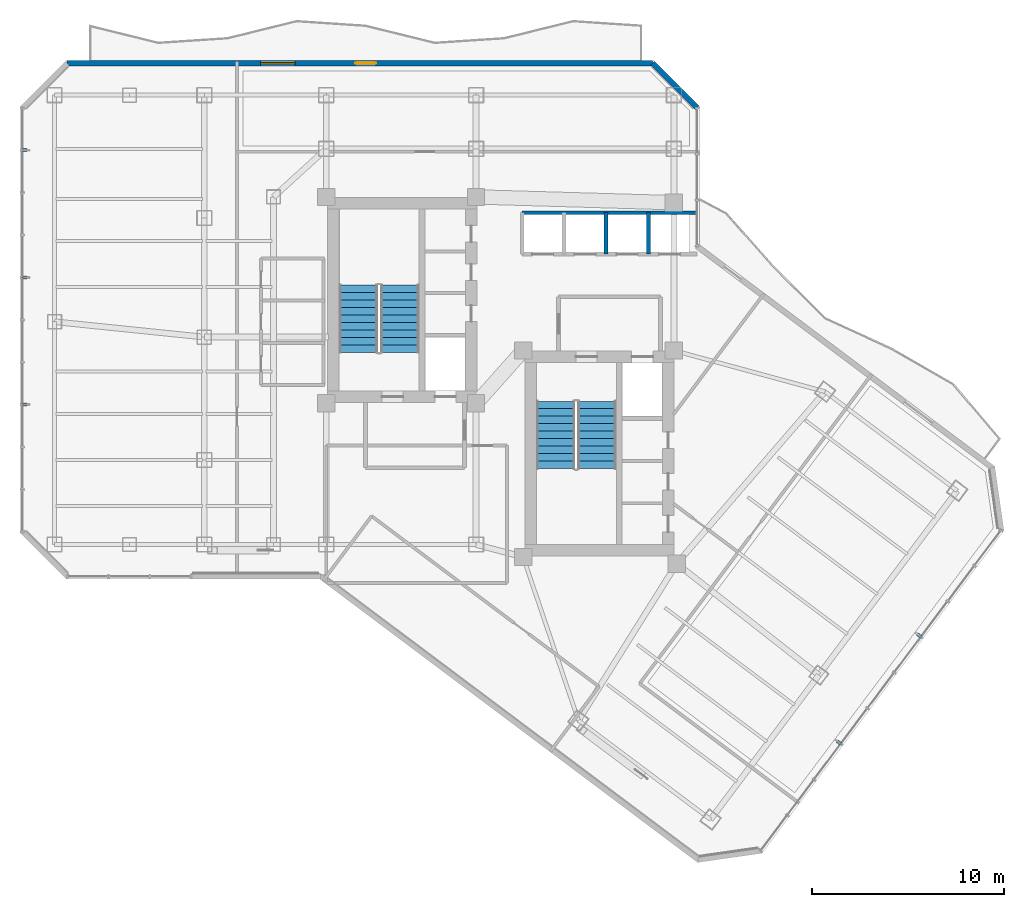
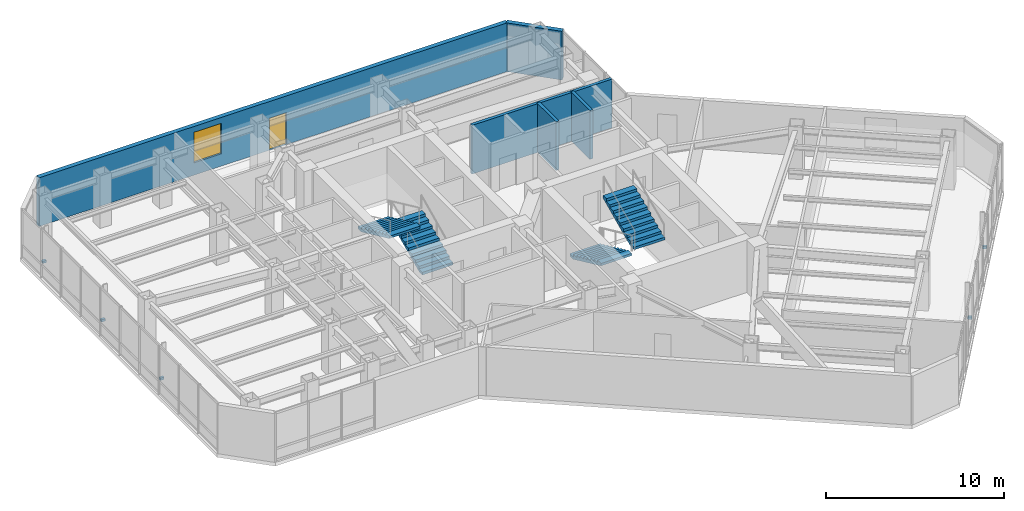
# One storey, part 24 of 28: 5 discrete accessories, 5 walls, 4 stair flights, 1 door, 1 window, 2 openings, 2 elements without a shape of their own.
"""IFC4 building model written with IfcOpenShell, lengths in metres."""

import ifcopenshell
import ifcopenshell.guid

model = None  # the IFC model being written
_history = None  # IfcOwnerHistory: only IFC2X3 demands one
_inside = {}  # id of a spatial element -> (the spatial element, [elements in it])
_under = {}  # id of a project, library or spatial element -> (it, [spatial elements below it])
_declared = {}  # id of a project -> (the project, [libraries it declares])
_typed = {}  # id of a type object -> (the type object, [elements of that type])
_made_of = {}  # id of a material, layer set ... -> (it, [elements and type objects made of it])


def new_model(schema):
    """Start an empty IFC model of exactly this schema.

    Asked for "IFC4X3", IfcOpenShell would pick the latest addendum, in which some entities
    have other attributes; the version numbers below select the first issue.
    IFC2X3 requires an IfcOwnerHistory on every rooted entity: one is made here for all.
    """
    global model, _history
    if schema == "IFC4X3":
        model = ifcopenshell.file(schema_version=(4, 3, 0, 0))
    else:
        model = ifcopenshell.file(schema=schema)
    _inside.clear()
    _under.clear()
    _declared.clear()
    _typed.clear()
    _made_of.clear()
    _history = None
    if model.schema == "IFC2X3":
        org = make("IfcOrganization", Name="unknown")
        user = make(
            "IfcPersonAndOrganization",
            ThePerson=make("IfcPerson", FamilyName="unknown"),
            TheOrganization=org,
        )
        app = make(
            "IfcApplication",
            ApplicationDeveloper=org,
            Version="unknown",
            ApplicationFullName="unknown",
            ApplicationIdentifier="unknown",
        )
        _history = make(
            "IfcOwnerHistory",
            OwningUser=user,
            OwningApplication=app,
            ChangeAction="ADDED",
            CreationDate=0,
        )
    return model


def make(cls, **values):
    """One entity of the class cls with the attributes given. An attribute that is None is left unset."""
    return model.create_entity(
        cls, **{name: value for name, value in values.items() if value is not None}
    )


def rooted(cls, **values):
    """An entity with a GlobalId (a new one), such as an element, a storey or a relation."""
    return make(cls, GlobalId=ifcopenshell.guid.new(), OwnerHistory=_history, **values)


def si_unit(unit_type, name, prefix=None):
    """IfcSIUnit, for example si_unit("LENGTHUNIT", "METRE", prefix="MILLI")."""
    return make("IfcSIUnit", UnitType=unit_type, Prefix=prefix, Name=name)


def assignment(units):
    """IfcUnitAssignment: the units of a project."""
    return None if units is None else make("IfcUnitAssignment", Units=units)


def point(xyz):
    """IfcCartesianPoint."""
    return None if xyz is None else make("IfcCartesianPoint", Coordinates=xyz)


def direction(xyz):
    """IfcDirection."""
    return None if xyz is None else make("IfcDirection", DirectionRatios=xyz)


def frame(location, z_axis=None, x_axis=None):
    """IfcAxis2Placement3D, a coordinate frame: its origin and axes. An axis left out is left unset."""
    return make(
        "IfcAxis2Placement3D",
        Location=point(location),
        Axis=direction(z_axis),
        RefDirection=direction(x_axis),
    )


def frame_2d(location, x_axis=None):
    """IfcAxis2Placement2D, a coordinate frame in the plane: its origin and x axis."""
    return make(
        "IfcAxis2Placement2D", Location=point(location), RefDirection=direction(x_axis)
    )


def origin():
    """The frame at (0, 0, 0) with its axes left unset."""
    return frame((0.0, 0.0, 0.0))


def origin_2d():
    """The frame at (0, 0) in the plane with its x axis left unset."""
    return frame_2d((0.0, 0.0))


def place(relative_to, where):
    """IfcLocalPlacement: puts the frame where relative to a parent placement (None: the world)."""
    return make(
        "IfcLocalPlacement", PlacementRelTo=relative_to, RelativePlacement=where
    )


def context(
    kind, dimensions, precision=None, world=None, true_north=None, identifier=None
):
    """IfcGeometricRepresentationContext, for example the 3D "Model" context."""
    return make(
        "IfcGeometricRepresentationContext",
        ContextIdentifier=identifier,
        ContextType=kind,
        CoordinateSpaceDimension=dimensions,
        Precision=precision,
        WorldCoordinateSystem=world,
        TrueNorth=true_north,
    )


def subcontext(parent, identifier, kind, view, scale=None):
    """IfcGeometricRepresentationSubContext, for example "Body" below "Model"."""
    return make(
        "IfcGeometricRepresentationSubContext",
        ContextIdentifier=identifier,
        ContextType=kind,
        ParentContext=parent,
        TargetScale=scale,
        TargetView=view,
    )


def project(units=None, contexts=None):
    """IfcProject with its units and contexts."""
    return rooted(
        "IfcProject",
        Name="project",
        RepresentationContexts=contexts,
        UnitsInContext=assignment(units),
    )


def spatial(cls, under=None, at=None, **own):
    """A site, building, storey or space (cls), placed at a placement, below another one or the project."""
    s = rooted(cls, ObjectPlacement=at, **own)
    if under is not None:
        _under.setdefault(under.id(), (under, []))[1].append(s)
    return s


def polyline(points):
    """IfcPolyline through the points."""
    return make("IfcPolyline", Points=[point(p) for p in points])


def profile(cls, at=None, kind="AREA", **sizes):
    """A parametric profile (cls). Its sizes go by their IFC names, for example OverallWidth=200.0."""
    return make(cls, ProfileType=kind, Position=at, **sizes)


def rectangle(**sizes):
    """IfcRectangleProfileDef."""
    return profile("IfcRectangleProfileDef", **sizes)


def outline(outer, holes=None, kind="AREA"):
    """IfcArbitraryClosedProfileDef: a profile drawn as a closed curve; with holes, ...WithVoids."""
    if holes is None:
        return make("IfcArbitraryClosedProfileDef", ProfileType=kind, OuterCurve=outer)
    return make(
        "IfcArbitraryProfileDefWithVoids",
        ProfileType=kind,
        OuterCurve=outer,
        InnerCurves=holes,
    )


def extrude(swept, where, along, depth):
    """IfcExtrudedAreaSolid: the profile swept, set in the frame where, extruded along a direction by depth."""
    return make(
        "IfcExtrudedAreaSolid",
        SweptArea=swept,
        Position=where,
        ExtrudedDirection=direction(along),
        Depth=depth,
    )


def shape(context_of_items, identifier, shape_type, items):
    """IfcShapeRepresentation: the items that make up one representation, for example the "Body"."""
    return make(
        "IfcShapeRepresentation",
        ContextOfItems=context_of_items,
        RepresentationIdentifier=identifier,
        RepresentationType=shape_type,
        Items=items,
    )


def material(Name=None, Category=None):
    """IfcMaterial."""
    return make("IfcMaterial", Name=Name, Category=Category)


def layer(
    of_material, thickness, ventilated=None, Name=None, Category=None, Priority=None
):
    """IfcMaterialLayer: one layer of a wall or slab, of a material (None: an air gap)."""
    return make(
        "IfcMaterialLayer",
        Material=of_material,
        LayerThickness=thickness,
        IsVentilated=ventilated,
        Name=Name,
        Category=Category,
        Priority=Priority,
    )


def layer_set(layers, Name=None):
    """IfcMaterialLayerSet."""
    return make("IfcMaterialLayerSet", MaterialLayers=layers, LayerSetName=Name)


def made_of(thing, what):
    """Note that an element or type object is made of a material, layer set ...; save() writes the relation."""
    if what is not None:
        _made_of.setdefault(what.id(), (what, []))[1].append(thing)
    return thing


def type_object(cls, material=None, **own):
    """A type object (cls), such as IfcWallType, which elements share."""
    return made_of(rooted(cls, **own), material)


def element(
    cls,
    number,
    at=None,
    inside=None,
    cuts=None,
    type_object=None,
    material=None,
    context=None,
    identifier="Body",
    shape_type=None,
    held_by="IfcProductDefinitionShape",
    body=None,
    shapes=None,
    **own,
):
    """One element of the class cls, such as IfcWall. Its Tag is "e" and its number.

    at: its placement. inside: the storey or other place that contains it. cuts: it is an
    opening in that element (IfcRelVoidsElement). A single representation is given by context,
    identifier, shape_type and body (its items); several are given by shapes. held_by: the class
    of the entity that holds the representations. save() writes the other relations.
    """
    e = rooted(cls, Tag="e%d" % number, ObjectPlacement=at, **own)
    if body is not None:
        shapes = [shape(context, identifier, shape_type, body)]
    if shapes is not None:
        e.Representation = make(held_by, Representations=shapes)
    if inside is not None:
        _inside.setdefault(inside.id(), (inside, []))[1].append(e)
    if cuts is not None:
        rooted(
            "IfcRelVoidsElement", RelatingBuildingElement=cuts, RelatedOpeningElement=e
        )
    if type_object is not None:
        _typed.setdefault(type_object.id(), (type_object, []))[1].append(e)
    return made_of(e, material)


def fill(opening, filler):
    """IfcRelFillsElement: the door or window that sits in an opening."""
    return rooted(
        "IfcRelFillsElement",
        RelatingOpeningElement=opening,
        RelatedBuildingElement=filler,
    )


def aggregate(whole, parts):
    """IfcRelAggregates: a whole, such as a stair, and the parts it consists of."""
    return rooted("IfcRelAggregates", RelatingObject=whole, RelatedObjects=parts)


def save(model, path):
    """Write the relations noted so far, then the file.

    IfcRelAggregates (storeys below a building ...), IfcRelContainedInSpatialStructure (elements
    in a storey), IfcRelDefinesByType, IfcRelAssociatesMaterial and IfcRelDeclares: one each for
    every whole, place, type object, material and project.
    """
    for whole, parts in _under.values():
        aggregate(whole, parts)
    for where, things in _inside.values():
        rooted(
            "IfcRelContainedInSpatialStructure",
            RelatedElements=things,
            RelatingStructure=where,
        )
    for kind, things in _typed.values():
        rooted("IfcRelDefinesByType", RelatedObjects=things, RelatingType=kind)
    for what, things in _made_of.values():
        rooted("IfcRelAssociatesMaterial", RelatedObjects=things, RelatingMaterial=what)
    for by, libraries in _declared.values():
        rooted("IfcRelDeclares", RelatingContext=by, RelatedDefinitions=libraries)
    model.write(path)


model = new_model("IFC4")

# Units and contexts
model_context = context("Model", 3, precision=1e-05, world=origin(), true_north=direction((0.0, 1.0)))
body_context = subcontext(model_context, "Body", "Model", "MODEL_VIEW")
ifc_project = project(units=[si_unit("LENGTHUNIT", "METRE"), si_unit("AREAUNIT", "SQUARE_METRE"), si_unit("VOLUMEUNIT", "CUBIC_METRE"), si_unit("PLANEANGLEUNIT", "RADIAN"), si_unit("MASSUNIT", "GRAM", prefix="KILO")], contexts=[model_context])

# Site, building, storey
site_placement = place(None, origin())
site = spatial("IfcSite", under=ifc_project, at=site_placement, CompositionType="ELEMENT")
building_placement = place(site_placement, origin())
building = spatial("IfcBuilding", under=site, at=building_placement, Name="Hatsunagi Terrace Concourse", CompositionType="ELEMENT")
storey_placement = place(building_placement, frame((0.0, 0.0, 170.85009765625)))
storey = spatial("IfcBuildingStorey", under=building, at=storey_placement, Name="L45", CompositionType="ELEMENT", Elevation=170.85009765625)

# Walls
ifc_material_1 = material(Name="Acoustic mineral board", Category="gypsum")
ifc_layer_1 = layer(ifc_material_1, 0.199951171875)
ifc_layer_set_1 = layer_set([ifc_layer_1], Name="ShaftWall_EI120_200")
wall_type_1 = type_object("IfcWallType", Name="ShaftWall_EI120_200", PredefinedType="STANDARD", material=ifc_layer_set_1)
wall_1_placement = place(storey_placement, frame((35.75, 42.47998046875, 0.0), z_axis=(0.0, 0.0, 1.0), x_axis=(1.0, 0.0, 0.0)))
element("IfcWall", 1, at=wall_1_placement, inside=storey, type_object=wall_type_1, Name="Interior Partition IW-L45-013", PredefinedType="STANDARD", context=body_context, shape_type="SweptSolid", body=[
    extrude(rectangle(XDim=9.110107421875, YDim=0.199951171875, at=frame_2d((4.55517578125, 0.0))), origin(), (0.0, 0.0, 1.0), 3.349853515625),
])
for number, where, z_axis, x_axis, name in (
    (2, (40.1201171875, 40.320068359375, 0.0), (0.0, 0.0, 1.0), (0.0, 1.0, 0.0), "Interior Partition IW-L45-016"),
    (3, (42.320068359375, 40.320068359375, 0.0), (0.0, 0.0, 1.0), (0.0, 1.0, 0.0), "Interior Partition IW-L45-017"),
):
    element("IfcWall", number, at=place(storey_placement, frame(where, z_axis=z_axis, x_axis=x_axis)), inside=storey, type_object=wall_type_1, Name=name, PredefinedType="STANDARD", context=body_context, shape_type="SweptSolid", body=[
        extrude(rectangle(XDim=2.159912109375, YDim=0.199951171875, at=frame_2d((1.080078125, 0.0))), origin(), (0.0, 0.0, 1.0), 3.349853515625),
    ])

# Wall, openings, door, window
ifc_material_2 = material(Name="Autoclaved Lightweight Concrete and Terracotta Cladding", Category="masonry")
ifc_layer_2 = layer(ifc_material_2, 0.280029296875)
ifc_layer_set_2 = layer_set([ifc_layer_2], Name="TerracottaSpandrelWall_280")
wall_type_2 = type_object("IfcWallType", Name="TerracottaSpandrelWall_280", PredefinedType="STANDARD", material=ifc_layer_set_2)
wall_2_placement = place(storey_placement, frame((12.05810546875, 50.260009765625, 0.0), z_axis=(0.0, 0.0, 1.0), x_axis=(1.0, 0.0, 0.0)))
wall_2 = element("IfcWall", 4, at=wall_2_placement, inside=storey, type_object=wall_type_2, Name="Exterior Spandrel Wall EW-L45-11", PredefinedType="STANDARD", context=body_context, shape_type="SweptSolid", body=[
    extrude(rectangle(XDim=30.48388671875, YDim=0.280029296875, at=frame_2d((15.241943359375, 0.0))), origin(), (0.0, 0.0, 1.0), 3.349853515625),
])
opening_1_placement = place(wall_2_placement, frame((14.991943359375, 0.0, 0.0)))
opening_1 = element("IfcOpeningElement", 5, at=opening_1_placement, cuts=wall_2, Name="Opening BD-01", PredefinedType="OPENING", context=body_context, shape_type="SweptSolid", body=[
    extrude(rectangle(XDim=1.10009765625, YDim=2.199951171875, at=frame_2d((0.550048828125, 1.10009765625))), frame((0.0, 0.14990234375, 0.0), z_axis=(0.0, -1.0, 0.0), x_axis=(1.0, 0.0, 0.0)), (0.0, 0.0, 1.0), 0.300048828125),
])
opening_2_placement = place(wall_2_placement, frame((10.073974609375, 0.0, 0.85009765625)))
opening_2 = element("IfcOpeningElement", 6, at=opening_2_placement, cuts=wall_2, Name="Opening WIN-03", PredefinedType="OPENING", context=body_context, shape_type="SweptSolid", body=[
    extrude(rectangle(XDim=1.800048828125, YDim=2.10009765625, at=frame_2d((0.89990234375, 1.050048828125))), frame((0.0, 0.14990234375, 0.0), z_axis=(0.0, -1.0, 0.0), x_axis=(1.0, 0.0, 0.0)), (0.0, 0.0, 1.0), 0.300048828125),
])
ifc_material_3 = material(Name="Galvanised Steel and Laminated Safety Glass", Category="steel")
door_type = type_object("IfcDoorType", Name="BalconyTerraceAccessDoor_1100x2200", OperationType="SINGLE_SWING_LEFT", PredefinedType="DOOR", material=ifc_material_3)
door_placement = place(opening_1_placement, origin())
door = element("IfcDoor", 7, at=door_placement, inside=storey, type_object=door_type, Name="Engawa Balcony Door L45-BN", OperationType="SINGLE_SWING_RIGHT", OverallHeight=2.199951171875, OverallWidth=1.10009765625, PredefinedType="DOOR", context=body_context, shape_type="SweptSolid", body=[
    extrude(rectangle(XDim=1.10009765625, YDim=2.199951171875, at=frame_2d((0.550048828125, 1.10009765625))), frame((0.0, 0.02490234375, 0.0), z_axis=(0.0, -1.0, 0.0), x_axis=(1.0, 0.0, 0.0)), (0.0, 0.0, 1.0), 0.050048828125),
])
fill(opening_1, door)
ifc_material_4 = material(Name="Thermally Broken Aluminium and Low-E Triple Glazing", Category="aluminium")
window_type = type_object("IfcWindowType", Name="OfficeCornerFeatureWindow_1800x2100", PartitioningType="SINGLE_PANEL", PredefinedType="WINDOW", material=ifc_material_4)
window_placement = place(opening_2_placement, origin())
window = element("IfcWindow", 8, at=window_placement, inside=storey, type_object=window_type, Name="Balcony Daylighting Window L45-11-1", OverallHeight=2.10009765625, OverallWidth=1.800048828125, PartitioningType="SINGLE_PANEL", PredefinedType="WINDOW", context=body_context, shape_type="SweptSolid", body=[
    extrude(rectangle(XDim=1.800048828125, YDim=2.10009765625, at=frame_2d((0.89990234375, 1.050048828125))), frame((0.0, 0.030029296875, 0.0), z_axis=(0.0, -1.0, 0.0), x_axis=(1.0, 0.0, 0.0)), (0.0, 0.0, 1.0), 0.06005859375),
])
fill(opening_2, window)

# Wall
wall_3_placement = place(storey_placement, frame((42.5419921875, 50.260009765625, 0.0), z_axis=(0.0, 0.0, 1.0), x_axis=(0.707106781187, -0.707106781187, 0.0)))
element("IfcWall", 9, at=wall_3_placement, inside=storey, type_object=wall_type_2, Name="Exterior Spandrel Wall EW-L45-12", PredefinedType="STANDARD", context=body_context, shape_type="SweptSolid", body=[
    extrude(rectangle(XDim=3.2783203125, YDim=0.280029296875, at=frame_2d((1.63916015625, 0.0))), origin(), (0.0, 0.0, 1.0), 3.349853515625),
])

# Stair, stair flights
ifc_material_5 = material(Name="Concrete Fc42", Category="concrete")
stair_type = type_object("IfcStairType", Name="DoglegExitStair_Tower2000_20R_180", PredefinedType="HALF_TURN_STAIR", material=ifc_material_5)
stair_1_placement = place(storey_placement, origin())
stair_1 = element("IfcStair", 10, at=stair_1_placement, inside=storey, type_object=stair_type, Name="L45 Core A Protected Exit Stair ST-A", PredefinedType="HALF_TURN_STAIR")
ifc_material_6 = material(Name="Concrete Fc42", Category="concrete")
stair_flight_type = type_object("IfcStairFlightType", Name="DoglegStairFlight_Tower2000_20R_180", PredefinedType="STRAIGHT", material=ifc_material_6)
stair_flight_1_placement = place(storey_placement, frame((29.3798828125, 35.199951171875, 0.0), z_axis=(0.0, 0.0, 1.0), x_axis=(0.0, 1.0, 0.0)))
stair_flight_1 = element("IfcStairFlight", 11, at=stair_flight_1_placement, type_object=stair_flight_type, Name="ST-A flight 1", NumberOfRisers=10, NumberOfTreads=9, PredefinedType="STRAIGHT", RiserHeight=0.18, TreadLength=0.39, context=body_context, shape_type="SweptSolid", body=[
    extrude(outline(polyline([(0.0, 0.0), (0.0, 0.179931640625), (0.389892578125, 0.179931640625), (0.389892578125, 0.360107421875), (0.780029296875, 0.360107421875), (0.780029296875, 0.5400390625), (1.169921875, 0.5400390625), (1.169921875, 0.719970703125), (1.56005859375, 0.719970703125), (1.56005859375, 0.89990234375), (1.949951171875, 0.89990234375), (1.949951171875, 1.080078125), (2.340087890625, 1.080078125), (2.340087890625, 1.260009765625), (2.72998046875, 1.260009765625), (2.72998046875, 1.43994140625), (3.1201171875, 1.43994140625), (3.1201171875, 1.6201171875), (3.510009765625, 1.6201171875), (3.510009765625, 1.800048828125), (3.510009765625, 1.454833984375), (0.357666015625, 0.0), (0.0, 0.0)])), frame((0.0, 1.0, 0.0), z_axis=(0.0, -1.0, 0.0), x_axis=(1.0, 0.0, 0.0)), (0.0, 0.0, 1.0), 2.0),
])
stair_flight_2_placement = place(storey_placement, frame((27.22998046875, 38.7099609375, 1.7998046875), z_axis=(0.0, 0.0, 1.0), x_axis=(0.0, -1.0, 0.0)))
stair_flight_2 = element("IfcStairFlight", 12, at=stair_flight_2_placement, type_object=stair_flight_type, Name="ST-A flight 2", NumberOfRisers=10, NumberOfTreads=9, PredefinedType="STRAIGHT", RiserHeight=0.18, TreadLength=0.39, context=body_context, shape_type="SweptSolid", body=[
    extrude(outline(polyline([(0.0, 0.0), (0.0, 0.179931640625), (0.389892578125, 0.179931640625), (0.389892578125, 0.360107421875), (0.780029296875, 0.360107421875), (0.780029296875, 0.5400390625), (1.169921875, 0.5400390625), (1.169921875, 0.719970703125), (1.56005859375, 0.719970703125), (1.56005859375, 0.89990234375), (1.949951171875, 0.89990234375), (1.949951171875, 1.080078125), (2.340087890625, 1.080078125), (2.340087890625, 1.260009765625), (2.72998046875, 1.260009765625), (2.72998046875, 1.43994140625), (3.1201171875, 1.43994140625), (3.1201171875, 1.6201171875), (3.510009765625, 1.6201171875), (3.510009765625, 1.800048828125), (3.510009765625, 1.454833984375), (0.357666015625, 0.0), (0.0, 0.0)])), frame((0.0, 1.0, 0.0), z_axis=(0.0, -1.0, 0.0), x_axis=(1.0, 0.0, 0.0)), (0.0, 0.0, 1.0), 2.0),
])
aggregate(stair_1, [stair_flight_1, stair_flight_2])

stair_2_placement = place(storey_placement, origin())
stair_2 = element("IfcStair", 13, at=stair_2_placement, inside=storey, type_object=stair_type, Name="L45 Core B Protected Exit Stair ST-B", PredefinedType="HALF_TURN_STAIR")
stair_flight_3_placement = place(storey_placement, frame((37.5, 32.659912109375, 0.0), z_axis=(0.0, 0.0, 1.0), x_axis=(0.0, -1.0, 0.0)))
stair_flight_3 = element("IfcStairFlight", 14, at=stair_flight_3_placement, type_object=stair_flight_type, Name="ST-B flight 1", NumberOfRisers=10, NumberOfTreads=9, PredefinedType="STRAIGHT", RiserHeight=0.18, TreadLength=0.39, context=body_context, shape_type="SweptSolid", body=[
    extrude(outline(polyline([(0.0, 0.0), (0.0, 0.179931640625), (0.389892578125, 0.179931640625), (0.389892578125, 0.360107421875), (0.780029296875, 0.360107421875), (0.780029296875, 0.5400390625), (1.169921875, 0.5400390625), (1.169921875, 0.719970703125), (1.56005859375, 0.719970703125), (1.56005859375, 0.89990234375), (1.949951171875, 0.89990234375), (1.949951171875, 1.080078125), (2.340087890625, 1.080078125), (2.340087890625, 1.260009765625), (2.72998046875, 1.260009765625), (2.72998046875, 1.43994140625), (3.1201171875, 1.43994140625), (3.1201171875, 1.6201171875), (3.510009765625, 1.6201171875), (3.510009765625, 1.800048828125), (3.510009765625, 1.454833984375), (0.357666015625, 0.0), (0.0, 0.0)])), frame((0.0, 1.0, 0.0), z_axis=(0.0, -1.0, 0.0), x_axis=(1.0, 0.0, 0.0)), (0.0, 0.0, 1.0), 2.0),
])
stair_flight_4_placement = place(storey_placement, frame((39.64990234375, 29.14990234375, 1.7998046875), z_axis=(0.0, 0.0, 1.0), x_axis=(0.0, 1.0, 0.0)))
stair_flight_4 = element("IfcStairFlight", 15, at=stair_flight_4_placement, type_object=stair_flight_type, Name="ST-B flight 2", NumberOfRisers=10, NumberOfTreads=9, PredefinedType="STRAIGHT", RiserHeight=0.18, TreadLength=0.39, context=body_context, shape_type="SweptSolid", body=[
    extrude(outline(polyline([(0.0, 0.0), (0.0, 0.179931640625), (0.389892578125, 0.179931640625), (0.389892578125, 0.360107421875), (0.780029296875, 0.360107421875), (0.780029296875, 0.5400390625), (1.169921875, 0.5400390625), (1.169921875, 0.719970703125), (1.56005859375, 0.719970703125), (1.56005859375, 0.89990234375), (1.949951171875, 0.89990234375), (1.949951171875, 1.080078125), (2.340087890625, 1.080078125), (2.340087890625, 1.260009765625), (2.72998046875, 1.260009765625), (2.72998046875, 1.43994140625), (3.1201171875, 1.43994140625), (3.1201171875, 1.6201171875), (3.510009765625, 1.6201171875), (3.510009765625, 1.800048828125), (3.510009765625, 1.454833984375), (0.357666015625, 0.0), (0.0, 0.0)])), frame((0.0, 1.0, 0.0), z_axis=(0.0, -1.0, 0.0), x_axis=(1.0, 0.0, 0.0)), (0.0, 0.0, 1.0), 2.0),
])
aggregate(stair_2, [stair_flight_3, stair_flight_4])

# Discrete accessories
ifc_material_7 = material(Name="Stainless Steel SUS316 Bracket", Category="steel")
discrete_accessory_type = type_object("IfcDiscreteAccessoryType", Name="FacadeScreenSupportBracket_SS", PredefinedType="BRACKET", material=ifc_material_7)
for number, where, z_axis, x_axis, name in (
    (16, (56.427978515625, 20.455078125, 0.9697265625), (0.0, 0.0, 1.0), (-0.599969314634, -0.800023013105, 0.0), "Terracotta Screen Bracket BRK-01"),
    (17, (52.251953125, 14.885009765625, 0.9697265625), (0.0, 0.0, 1.0), (-0.599969314634, -0.800023013105, 0.0), "Terracotta Screen Bracket BRK-01"),
    (18, (9.85009765625, 32.48291015625, 0.9697265625), (0.0, 0.0, 1.0), (0.0, 1.0, 0.0), "Terracotta Screen Bracket BRK-01"),
    (19, (9.85009765625, 39.10791015625, 0.9697265625), (0.0, 0.0, 1.0), (0.0, 1.0, 0.0), "Terracotta Screen Bracket BRK-01"),
    (20, (9.85009765625, 45.73388671875, 0.9697265625), (0.0, 0.0, 1.0), (0.0, 1.0, 0.0), "Terracotta Screen Bracket BRK-01"),
):
    element("IfcDiscreteAccessory", number, at=place(storey_placement, frame(where, z_axis=z_axis, x_axis=x_axis)), inside=storey, type_object=discrete_accessory_type, Name=name, PredefinedType="BRACKET", context=body_context, shape_type="SweptSolid", body=[
        extrude(rectangle(XDim=0.159912109375, YDim=0.239990234375, at=origin_2d()), origin(), (0.0, 0.0, 1.0), 0.159912109375),
    ])

save(model, "model.ifc")
